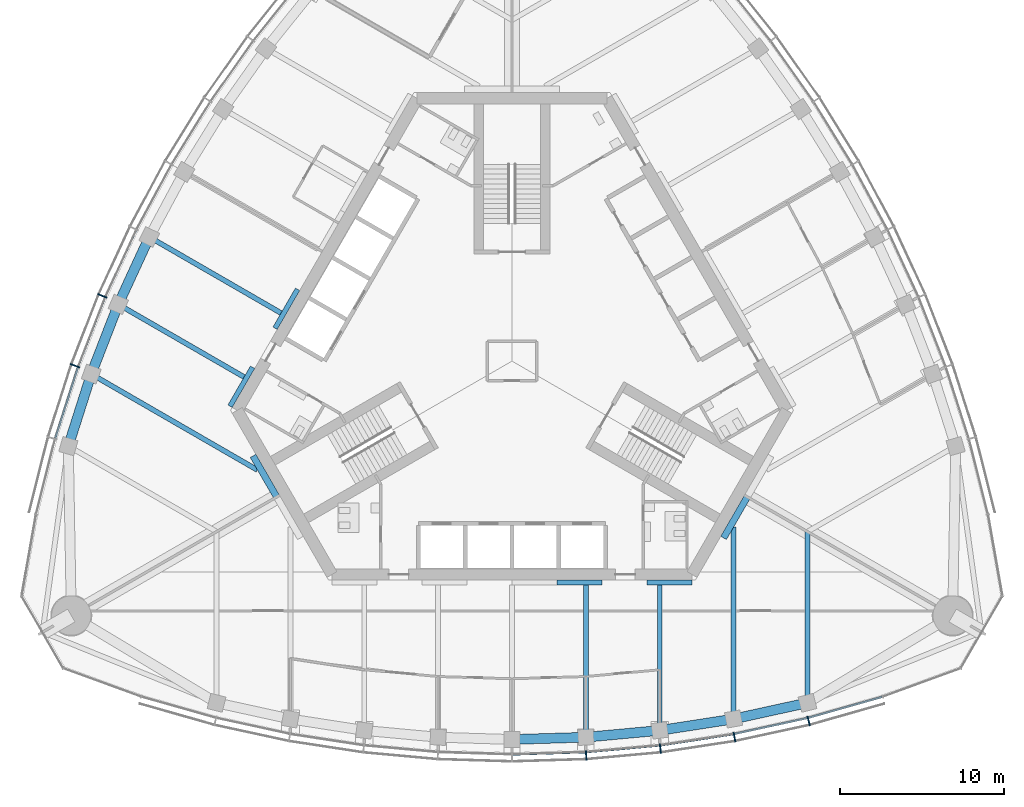
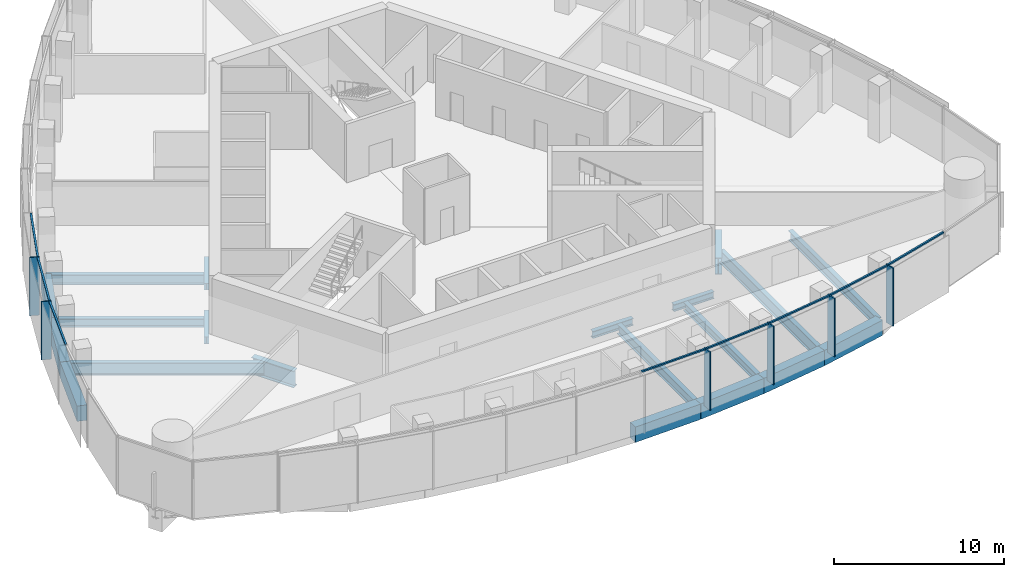
# One storey, part 3 of 16: 20 beams, 14 members, 2 elements without a shape of their own.
"""IFC4 building model written with IfcOpenShell, lengths in metres."""

from ifc_helpers import new_model, si_unit, direction, frame, origin, origin_2d, place, context, subcontext, project, spatial, rectangle, i_section, extrude, material, material_profile, profile_set, type_object, element, aggregate, save


model = new_model("IFC4")

# Units and contexts
model_context = context("Model", 3, precision=1e-05, world=origin(), true_north=direction((0.0, 1.0)))
body_context = subcontext(model_context, "Body", "Model", "MODEL_VIEW")
ifc_project = project(units=[si_unit("LENGTHUNIT", "METRE"), si_unit("AREAUNIT", "SQUARE_METRE"), si_unit("VOLUMEUNIT", "CUBIC_METRE"), si_unit("PLANEANGLEUNIT", "RADIAN"), si_unit("MASSUNIT", "GRAM", prefix="KILO")], contexts=[model_context])

# Site, building, storey
site_placement = place(None, origin())
site = spatial("IfcSite", under=ifc_project, at=site_placement, CompositionType="ELEMENT")
building_placement = place(site_placement, origin())
building = spatial("IfcBuilding", under=site, at=building_placement, Name="Trefoil Bronze Tower", CompositionType="ELEMENT")
storey_placement = place(building_placement, frame((0.0, 0.0, 293.10009765625)))
storey = spatial("IfcBuildingStorey", under=building, at=storey_placement, Name="L67", CompositionType="ELEMENT", Elevation=293.10009765625)

# Curtain wall, members
ifc_material_1 = material(Name="Tinted solar-control glass", Category="glass")
curtain_wall_type = type_object("IfcCurtainWallType", Name="Bronze office curtain wall", PredefinedType="USERDEFINED", material=ifc_material_1)
curtain_wall_1_placement = place(storey_placement, origin())
curtain_wall_1 = element("IfcCurtainWall", 1, at=curtain_wall_1_placement, inside=storey, type_object=curtain_wall_type, Name="CW-A L67 F1", ObjectType="CURTAIN WALL", PredefinedType="USERDEFINED")
ifc_material_2 = material(Name="Bronze-finish aluminium", Category="aluminium")
ifc_material_profile_1 = material_profile(ifc_material_2, rectangle(XDim=0.60009765625, YDim=0.080078125, at=origin_2d()), Name="CW-A mullion")
ifc_profile_set_1 = profile_set([ifc_material_profile_1], Name="Bronze-finish aluminium")
member_type_1 = type_object("IfcMemberType", Name="Bronze office curtain wall mullion", PredefinedType="MULLION", material=ifc_profile_set_1)
member_1_placement = place(storey_placement, frame((4.51806640625, -24.014892578125, 0.0), z_axis=(0.0, 0.0, 1.0), x_axis=(-0.060554040199, 0.998164920349, 0.0)))
member_1 = element("IfcMember", 2, at=member_1_placement, type_object=member_type_1, Name="CW-A L67 F1 mullion 7", PredefinedType="MULLION", context=body_context, shape_type="SweptSolid", body=[
    extrude(rectangle(XDim=0.60009765625, YDim=0.080078125, at=origin_2d()), origin(), (0.0, 0.0, 1.0), 4.179931640625),
])
member_2_placement = place(storey_placement, frame((9.036376953125, -23.602783203125, 0.0), z_axis=(0.0, 0.0, 1.0), x_axis=(-0.121109330868, 0.992639174109, 0.0)))
member_2 = element("IfcMember", 3, at=member_2_placement, type_object=member_type_1, Name="CW-A L67 F1 mullion 8", PredefinedType="MULLION", context=body_context, shape_type="SweptSolid", body=[
    extrude(rectangle(XDim=0.60009765625, YDim=0.080078125, at=origin_2d()), origin(), (0.0, 0.0, 1.0), 4.179931640625),
])
member_3_placement = place(storey_placement, frame((13.554443359375, -22.911376953125, 0.0), z_axis=(0.0, 0.0, 1.0), x_axis=(-0.181667218242, 0.983360067227, 0.0)))
member_3 = element("IfcMember", 4, at=member_3_placement, type_object=member_type_1, Name="CW-A L67 F1 mullion 9", PredefinedType="MULLION", context=body_context, shape_type="SweptSolid", body=[
    extrude(rectangle(XDim=0.60009765625, YDim=0.080078125, at=origin_2d()), origin(), (0.0, 0.0, 1.0), 4.179931640625),
])
member_4_placement = place(storey_placement, frame((18.07275390625, -21.931884765625, 0.0), z_axis=(0.0, 0.0, 1.0), x_axis=(-0.242394494031, 0.97017777199, 0.0)))
member_4 = element("IfcMember", 5, at=member_4_placement, type_object=member_type_1, Name="CW-A L67 F1 mullion 10", PredefinedType="MULLION", context=body_context, shape_type="SweptSolid", body=[
    extrude(rectangle(XDim=0.60009765625, YDim=0.080078125, at=origin_2d()), origin(), (0.0, 0.0, 1.0), 4.179931640625),
])

curtain_wall_2_placement = place(storey_placement, origin())
curtain_wall_2 = element("IfcCurtainWall", 6, at=curtain_wall_2_placement, inside=storey, type_object=curtain_wall_type, Name="CW-A L67 F3", ObjectType="CURTAIN WALL", PredefinedType="USERDEFINED")
member_5_placement = place(storey_placement, frame((-24.958984375, 3.975830078125, 0.0), z_axis=(0.0, 0.0, 1.0), x_axis=(0.920205407004, -0.391435829888, 0.0)))
member_5 = element("IfcMember", 7, at=member_5_placement, type_object=member_type_1, Name="CW-A L67 F3 mullion 8", PredefinedType="MULLION", context=body_context, shape_type="SweptSolid", body=[
    extrude(rectangle(XDim=0.60009765625, YDim=0.080078125, at=origin_2d()), origin(), (0.0, 0.0, 1.0), 4.179931640625),
])
member_6_placement = place(storey_placement, frame((-26.618896484375, -0.282958984375, 0.0), z_axis=(0.0, 0.0, 1.0), x_axis=(0.942448408407, -0.334351607581, 0.0)))
member_6 = element("IfcMember", 8, at=member_6_placement, type_object=member_type_1, Name="CW-A L67 F3 mullion 9", PredefinedType="MULLION", context=body_context, shape_type="SweptSolid", body=[
    extrude(rectangle(XDim=0.60009765625, YDim=0.080078125, at=origin_2d()), origin(), (0.0, 0.0, 1.0), 4.179931640625),
])

# Member
ifc_material_3 = material(Name="Bronze-finish aluminium", Category="aluminium")
ifc_material_profile_2 = material_profile(ifc_material_3, rectangle(XDim=0.1201171875, YDim=0.10009765625, at=origin_2d()), Name="CW-A transom")
ifc_profile_set_2 = profile_set([ifc_material_profile_2], Name="Bronze-finish aluminium")
member_type_2 = type_object("IfcMemberType", Name="Bronze office curtain wall transom", PredefinedType="USERDEFINED", material=ifc_profile_set_2)
member_7_placement = place(storey_placement, frame((0.04296875, -23.950439453125, 4.1298828125), z_axis=(0.99954057115, 0.030309183848, 0.0), x_axis=(-0.030309183848, 0.99954057115, 0.0)))
member_7 = element("IfcMember", 9, at=member_7_placement, type_object=member_type_2, Name="CW-A L67 F1 transom 6", ObjectType="TRANSOM", PredefinedType="USERDEFINED", context=body_context, shape_type="SweptSolid", body=[
    extrude(rectangle(XDim=0.1201171875, YDim=0.10009765625, at=origin_2d()), origin(), (0.0, 0.0, 1.0), 4.422119140625),
])

member_8_placement = place(storey_placement, frame((4.548828125, -23.811279296875, 4.1298828125), z_axis=(0.995868373079, 0.090808499059, 0.0), x_axis=(-0.090808499059, 0.995868373079, 0.0)))
member_8 = element("IfcMember", 10, at=member_8_placement, type_object=member_type_2, Name="CW-A L67 F1 transom 7", ObjectType="TRANSOM", PredefinedType="USERDEFINED", context=body_context, shape_type="SweptSolid", body=[
    extrude(rectangle(XDim=0.1201171875, YDim=0.10009765625, at=origin_2d()), origin(), (0.0, 0.0, 1.0), 4.438720703125),
])

member_9_placement = place(storey_placement, frame((9.0546875, -23.39794921875, 4.1298828125), z_axis=(0.988485016014, 0.151318779787, 0.0), x_axis=(-0.151318779787, 0.988485016014, 0.0)))
member_9 = element("IfcMember", 11, at=member_9_placement, type_object=member_type_2, Name="CW-A L67 F1 transom 8", ObjectType="TRANSOM", PredefinedType="USERDEFINED", context=body_context, shape_type="SweptSolid", body=[
    extrude(rectangle(XDim=0.1201171875, YDim=0.10009765625, at=origin_2d()), origin(), (0.0, 0.0, 1.0), 4.472412109375),
])

member_10_placement = place(storey_placement, frame((13.560302734375, -22.70556640625, 4.1298828125), z_axis=(0.977303780028, 0.211842681117, 0.0), x_axis=(-0.211842681117, 0.977303780028, 0.0)))
member_10 = element("IfcMember", 12, at=member_10_placement, type_object=member_type_2, Name="CW-A L67 F1 transom 9", ObjectType="TRANSOM", PredefinedType="USERDEFINED", context=body_context, shape_type="SweptSolid", body=[
    extrude(rectangle(XDim=0.1201171875, YDim=0.10009765625, at=origin_2d()), origin(), (0.0, 0.0, 1.0), 4.524658203125),
])

member_11_placement = place(storey_placement, frame((18.065673828125, -21.72607421875, 4.1298828125), z_axis=(0.962102611578, 0.272687668944, 0.0), x_axis=(-0.272687668944, 0.962102611578, 0.0)))
member_11 = element("IfcMember", 13, at=member_11_placement, type_object=member_type_2, Name="CW-A L67 F1 transom 10", ObjectType="TRANSOM", PredefinedType="USERDEFINED", context=body_context, shape_type="SweptSolid", body=[
    extrude(rectangle(XDim=0.1201171875, YDim=0.10009765625, at=origin_2d()), origin(), (0.0, 0.0, 1.0), 4.6474609375),
])

aggregate(curtain_wall_1, [member_1, member_2, member_3, member_4, member_7, member_8, member_9, member_10, member_11])

member_12_placement = place(storey_placement, frame((-22.895751953125, 7.966064453125, 4.1298828125), z_axis=(-0.4192988407, -0.907848270466, 0.0), x_axis=(0.907848270466, -0.4192988407, 0.0)))
member_12 = element("IfcMember", 14, at=member_12_placement, type_object=member_type_2, Name="CW-A L67 F3 transom 7", ObjectType="TRANSOM", PredefinedType="USERDEFINED", context=body_context, shape_type="SweptSolid", body=[
    extrude(rectangle(XDim=0.1201171875, YDim=0.10009765625, at=origin_2d()), origin(), (0.0, 0.0, 1.0), 4.4384765625),
])

member_13_placement = place(storey_placement, frame((-24.79052734375, 3.857421875, 4.1298828125), z_axis=(-0.363178486404, -0.931719586042, 0.0), x_axis=(0.931719586042, -0.363178486404, 0.0)))
member_13 = element("IfcMember", 15, at=member_13_placement, type_object=member_type_2, Name="CW-A L67 F3 transom 8", ObjectType="TRANSOM", PredefinedType="USERDEFINED", context=body_context, shape_type="SweptSolid", body=[
    extrude(rectangle(XDim=0.1201171875, YDim=0.10009765625, at=origin_2d()), origin(), (0.0, 0.0, 1.0), 4.472412109375),
])

member_14_placement = place(storey_placement, frame((-26.443603515625, -0.390869140625, 4.1298828125), z_axis=(-0.305198606794, -0.95228872219, 0.0), x_axis=(0.95228872219, -0.305198606794, 0.0)))
member_14 = element("IfcMember", 16, at=member_14_placement, type_object=member_type_2, Name="CW-A L67 F3 transom 9", ObjectType="TRANSOM", PredefinedType="USERDEFINED", context=body_context, shape_type="SweptSolid", body=[
    extrude(rectangle(XDim=0.1201171875, YDim=0.10009765625, at=origin_2d()), origin(), (0.0, 0.0, 1.0), 4.5244140625),
])

aggregate(curtain_wall_2, [member_5, member_6, member_12, member_13, member_14])

# Beams
ifc_material_4 = material(Name="Steel C355", Category="steel")
ifc_material_profile_3 = material_profile(ifc_material_4, i_section(OverallWidth=0.300048828125, OverallDepth=0.5, WebThickness=0.014404296875, FlangeThickness=0.028076171875, FilletRadius=0.027099609375, at=origin_2d()), Name="HEB 500")
ifc_profile_set_3 = profile_set([ifc_material_profile_3], Name="Steel C355")
beam_type_1 = type_object("IfcBeamType", Name="Core seat beam HEB 500", PredefinedType="BEAM", material=ifc_profile_set_3)
for number, where, z_axis, x_axis, name in (
    (17, (2.742431640625, -13.5, -0.4501953125), (1.0, 0.0, 0.0), (0.0, 1.0, 0.0), "Core seat beam F1/+1 L67"),
    (18, (8.227294921875, -13.5, -0.4501953125), (1.0, 0.0, 0.0), (0.0, 1.0, 0.0), "Core seat beam F1/+2 L67"),
    (19, (-13.0625, 4.375, -0.4501953125), (-0.500035825175, -0.866004719122, 0.0), (0.866004719122, -0.500035825175, 0.0), "Core seat beam F3/+1 L67"),
    (20, (-15.804931640625, -0.375, -0.4501953125), (-0.500035825175, -0.866004719122, 0.0), (0.866004719122, -0.500035825175, 0.0), "Core seat beam F3/+2 L67"),
):
    element("IfcBeam", number, at=place(storey_placement, frame(where, z_axis=z_axis, x_axis=x_axis)), inside=storey, type_object=beam_type_1, Name=name, PredefinedType="BEAM", context=body_context, shape_type="SweptSolid", body=[
        extrude(i_section(OverallWidth=0.300048828125, OverallDepth=0.5, WebThickness=0.014404296875, FlangeThickness=0.028076171875, FilletRadius=0.027099609375, at=origin_2d()), origin(), (0.0, 0.0, 1.0), 2.742431640625),
    ])
ifc_material_5 = material(Name="Steel C355", Category="steel")
ifc_material_profile_4 = material_profile(ifc_material_5, i_section(OverallWidth=0.39990234375, OverallDepth=1.199951171875, WebThickness=0.02001953125, FlangeThickness=0.0400390625, FilletRadius=0.010009765625, at=origin_2d()), Name="WPG 1200")
ifc_profile_set_4 = profile_set([ifc_material_profile_4], Name="Steel C355")
beam_type_2 = type_object("IfcBeamType", Name="Core seat beam WPG 1200", PredefinedType="BEAM", material=ifc_profile_set_4)
for number, where, z_axis, x_axis, name in (
    (21, (12.889404296875, -10.77490234375, -0.800048828125), (0.499995765644, 0.866027848477, 0.0), (-0.866027848477, 0.499995765644, 0.0), "Core seat beam F1/+3 L67"),
    (22, (-15.776123046875, -5.77490234375, -0.800048828125), (0.499995765644, -0.866027848477, 0.0), (0.866027848477, 0.499995765644, 0.0), "Core seat beam F3/+3 L67"),
):
    element("IfcBeam", number, at=place(storey_placement, frame(where, z_axis=z_axis, x_axis=x_axis)), inside=storey, type_object=beam_type_2, Name=name, PredefinedType="BEAM", context=body_context, shape_type="SweptSolid", body=[
        extrude(i_section(OverallWidth=0.39990234375, OverallDepth=1.199951171875, WebThickness=0.02001953125, FlangeThickness=0.0400390625, FilletRadius=0.010009765625, at=origin_2d()), origin(), (0.0, 0.0, 1.0), 2.88671875),
    ])
ifc_material_6 = material(Name="Steel C355", Category="steel")
ifc_material_profile_5 = material_profile(ifc_material_6, i_section(OverallWidth=0.300048828125, OverallDepth=0.60009765625, WebThickness=0.015380859375, FlangeThickness=0.030029296875, FilletRadius=0.027099609375, at=origin_2d()), Name="HEB 600")
ifc_profile_set_5 = profile_set([ifc_material_profile_5], Name="Steel C355")
beam_type_3 = type_object("IfcBeamType", Name="Floor beam HEB 600", PredefinedType="BEAM", material=ifc_profile_set_5)
beam_1_placement = place(storey_placement, frame((9.0, -22.499267578125, -0.5), z_axis=(0.0, 1.0, 0.0), x_axis=(-1.0, 0.0, 0.0)))
element("IfcBeam", 23, at=beam_1_placement, inside=storey, type_object=beam_type_3, Name="Floor beam F1/+2 L67", PredefinedType="BEAM", context=body_context, shape_type="SweptSolid", body=[
    extrude(i_section(OverallWidth=0.300048828125, OverallDepth=0.60009765625, WebThickness=0.015380859375, FlangeThickness=0.030029296875, FilletRadius=0.027099609375, at=origin_2d()), origin(), (0.0, 0.0, 1.0), 8.849365234375),
])
beam_2_placement = place(storey_placement, frame((-23.98486328125, 3.455322265625, -0.5), z_axis=(0.866025701847, -0.499999483739, 0.0), x_axis=(0.499999483739, 0.866025701847, 0.0)))
element("IfcBeam", 24, at=beam_2_placement, inside=storey, type_object=beam_type_3, Name="Floor beam F3/+2 L67", PredefinedType="BEAM", context=body_context, shape_type="SweptSolid", body=[
    extrude(i_section(OverallWidth=0.300048828125, OverallDepth=0.60009765625, WebThickness=0.015380859375, FlangeThickness=0.030029296875, FilletRadius=0.027099609375, at=origin_2d()), origin(), (0.0, 0.0, 1.0), 8.84912109375),
])
ifc_material_7 = material(Name="Steel C355", Category="steel")
ifc_material_profile_6 = material_profile(ifc_material_7, i_section(OverallWidth=0.300048828125, OverallDepth=0.699951171875, WebThickness=0.01708984375, FlangeThickness=0.031982421875, FilletRadius=0.027099609375, at=origin_2d()), Name="HEB 700")
ifc_profile_set_6 = profile_set([ifc_material_profile_6], Name="Steel C355")
beam_type_4 = type_object("IfcBeamType", Name="Floor beam HEB 700", PredefinedType="BEAM", material=ifc_profile_set_6)
beam_3_placement = place(storey_placement, frame((4.5, -22.913818359375, -0.550048828125), z_axis=(0.0, 1.0, 0.0), x_axis=(-1.0, 0.0, 0.0)))
element("IfcBeam", 25, at=beam_3_placement, inside=storey, type_object=beam_type_4, Name="Floor beam F1/+1 L67", PredefinedType="BEAM", context=body_context, shape_type="SweptSolid", body=[
    extrude(i_section(OverallWidth=0.300048828125, OverallDepth=0.699951171875, WebThickness=0.01708984375, FlangeThickness=0.031982421875, FilletRadius=0.027099609375, at=origin_2d()), origin(), (0.0, 0.0, 1.0), 9.263916015625),
])
beam_4_placement = place(storey_placement, frame((18.0, -20.816162109375, -0.550048828125), z_axis=(0.0, 1.0, 0.0), x_axis=(-1.0, 0.0, 0.0)))
element("IfcBeam", 26, at=beam_4_placement, inside=storey, type_object=beam_type_4, Name="Floor beam F1/+4 L67", PredefinedType="BEAM", context=body_context, shape_type="SweptSolid", body=[
    extrude(i_section(OverallWidth=0.300048828125, OverallDepth=0.699951171875, WebThickness=0.01708984375, FlangeThickness=0.031982421875, FilletRadius=0.027099609375, at=origin_2d()), origin(), (0.0, 0.0, 1.0), 10.423828125),
])
beam_5_placement = place(storey_placement, frame((-22.093994140625, 7.559814453125, -0.550048828125), z_axis=(0.866028909405, -0.499993928037, 0.0), x_axis=(0.499993928037, 0.866028909405, 0.0)))
element("IfcBeam", 27, at=beam_5_placement, inside=storey, type_object=beam_type_4, Name="Floor beam F3/+1 L67", PredefinedType="BEAM", context=body_context, shape_type="SweptSolid", body=[
    extrude(i_section(OverallWidth=0.300048828125, OverallDepth=0.699951171875, WebThickness=0.01708984375, FlangeThickness=0.031982421875, FilletRadius=0.027099609375, at=origin_2d()), origin(), (0.0, 0.0, 1.0), 9.263671875),
])
ifc_material_8 = material(Name="Steel C355", Category="steel")
ifc_material_profile_7 = material_profile(ifc_material_8, i_section(OverallWidth=0.300048828125, OverallDepth=0.89990234375, WebThickness=0.0185546875, FlangeThickness=0.034912109375, FilletRadius=0.030029296875, at=origin_2d()), Name="HEB 900")
ifc_profile_set_7 = profile_set([ifc_material_profile_7], Name="Steel C355")
beam_type_5 = type_object("IfcBeamType", Name="Floor beam HEB 900", PredefinedType="BEAM", material=ifc_profile_set_7)
beam_6_placement = place(storey_placement, frame((13.5, -21.802734375, -0.650146484375), z_axis=(0.0, 1.0, 0.0), x_axis=(-1.0, 0.0, 0.0)))
element("IfcBeam", 28, at=beam_6_placement, inside=storey, type_object=beam_type_5, Name="Floor beam F1/+3 L67", PredefinedType="BEAM", context=body_context, shape_type="SweptSolid", body=[
    extrude(i_section(OverallWidth=0.300048828125, OverallDepth=0.89990234375, WebThickness=0.0185546875, FlangeThickness=0.034912109375, FilletRadius=0.030029296875, at=origin_2d()), origin(), (0.0, 0.0, 1.0), 11.685302734375),
])
beam_7_placement = place(storey_placement, frame((-25.631591796875, -0.7900390625, -0.650146484375), z_axis=(0.866026929639, -0.499997357134, 0.0), x_axis=(0.499997357134, 0.866026929639, 0.0)))
element("IfcBeam", 29, at=beam_7_placement, inside=storey, type_object=beam_type_5, Name="Floor beam F3/+3 L67", PredefinedType="BEAM", context=body_context, shape_type="SweptSolid", body=[
    extrude(i_section(OverallWidth=0.300048828125, OverallDepth=0.89990234375, WebThickness=0.0185546875, FlangeThickness=0.034912109375, FilletRadius=0.030029296875, at=origin_2d()), origin(), (0.0, 0.0, 1.0), 11.68505859375),
])
ifc_material_9 = material(Name="Concrete B80", Category="concrete")
ifc_material_profile_8 = material_profile(ifc_material_9, rectangle(XDim=0.60009765625, YDim=1.10009765625, at=origin_2d()), Name="RC 600x1100")
ifc_profile_set_8 = profile_set([ifc_material_profile_8], Name="Concrete B80")
beam_type_6 = type_object("IfcBeamType", Name="Spandrel beam RC 600x1100", PredefinedType="SPANDREL", material=ifc_profile_set_8)
beam_8_placement = place(storey_placement, frame((0.0, -23.051513671875, -0.75), z_axis=(0.999532180362, 0.03058464354, 0.0), x_axis=(-0.03058464354, 0.999532180362, 0.0)))
element("IfcBeam", 30, at=beam_8_placement, inside=storey, type_object=beam_type_6, Name="Spandrel F1.6 L67", PredefinedType="SPANDREL", context=body_context, shape_type="SweptSolid", body=[
    extrude(rectangle(XDim=0.60009765625, YDim=1.10009765625, at=origin_2d()), origin(), (0.0, 0.0, 1.0), 4.502197265625),
])
beam_9_placement = place(storey_placement, frame((4.5, -22.913818359375, -0.75), z_axis=(0.995783550481, 0.091733966402, 0.0), x_axis=(-0.091733966402, 0.995783550481, 0.0)))
element("IfcBeam", 31, at=beam_9_placement, inside=storey, type_object=beam_type_6, Name="Spandrel F1.7 L67", PredefinedType="SPANDREL", context=body_context, shape_type="SweptSolid", body=[
    extrude(rectangle(XDim=0.60009765625, YDim=1.10009765625, at=origin_2d()), origin(), (0.0, 0.0, 1.0), 4.51904296875),
])
beam_10_placement = place(storey_placement, frame((9.0, -22.499267578125, -0.75), z_axis=(0.988231820946, 0.152963616816, 0.0), x_axis=(-0.152963616816, 0.988231820946, 0.0)))
element("IfcBeam", 32, at=beam_10_placement, inside=storey, type_object=beam_type_6, Name="Spandrel F1.8 L67", PredefinedType="SPANDREL", context=body_context, shape_type="SweptSolid", body=[
    extrude(rectangle(XDim=0.60009765625, YDim=1.10009765625, at=origin_2d()), origin(), (0.0, 0.0, 1.0), 4.553466796875),
])
beam_11_placement = place(storey_placement, frame((13.5, -21.802734375, -0.75), z_axis=(0.976800342355, 0.214152028182, 0.0), x_axis=(-0.214152028182, 0.976800342355, 0.0)))
element("IfcBeam", 33, at=beam_11_placement, inside=storey, type_object=beam_type_6, Name="Spandrel F1.9 L67", PredefinedType="SPANDREL", context=body_context, shape_type="SweptSolid", body=[
    extrude(rectangle(XDim=0.60009765625, YDim=1.10009765625, at=origin_2d()), origin(), (0.0, 0.0, 1.0), 4.60693359375),
])
beam_12_placement = place(storey_placement, frame((-22.093994140625, 7.559814453125, -0.75), z_axis=(-0.418417425199, -0.90825484215, 0.0), x_axis=(0.90825484215, -0.418417425199, 0.0)))
element("IfcBeam", 34, at=beam_12_placement, inside=storey, type_object=beam_type_6, Name="Spandrel F3.7 L67", PredefinedType="SPANDREL", context=body_context, shape_type="SweptSolid", body=[
    extrude(rectangle(XDim=0.60009765625, YDim=1.10009765625, at=origin_2d()), origin(), (0.0, 0.0, 1.0), 4.51904296875),
])
beam_13_placement = place(storey_placement, frame((-23.98486328125, 3.455322265625, -0.75), z_axis=(-0.361636286502, -0.932319256631, 0.0), x_axis=(0.932319256631, -0.361636286502, 0.0)))
element("IfcBeam", 35, at=beam_13_placement, inside=storey, type_object=beam_type_6, Name="Spandrel F3.8 L67", PredefinedType="SPANDREL", context=body_context, shape_type="SweptSolid", body=[
    extrude(rectangle(XDim=0.60009765625, YDim=1.10009765625, at=origin_2d()), origin(), (0.0, 0.0, 1.0), 4.553466796875),
])
beam_14_placement = place(storey_placement, frame((-25.631591796875, -0.7900390625, -0.75), z_axis=(-0.302969597344, -0.953000221975, 0.0), x_axis=(0.953000221975, -0.302969597344, 0.0)))
element("IfcBeam", 36, at=beam_14_placement, inside=storey, type_object=beam_type_6, Name="Spandrel F3.9 L67", PredefinedType="SPANDREL", context=body_context, shape_type="SweptSolid", body=[
    extrude(rectangle(XDim=0.60009765625, YDim=1.10009765625, at=origin_2d()), origin(), (0.0, 0.0, 1.0), 4.60693359375),
])

save(model, "model.ifc")
